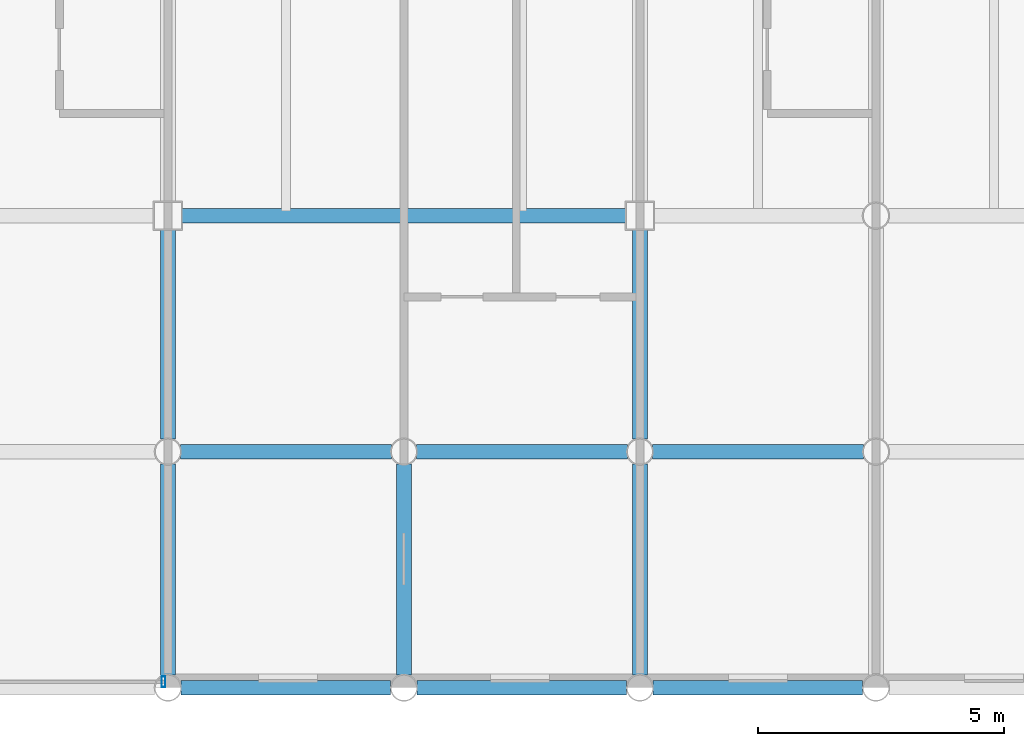
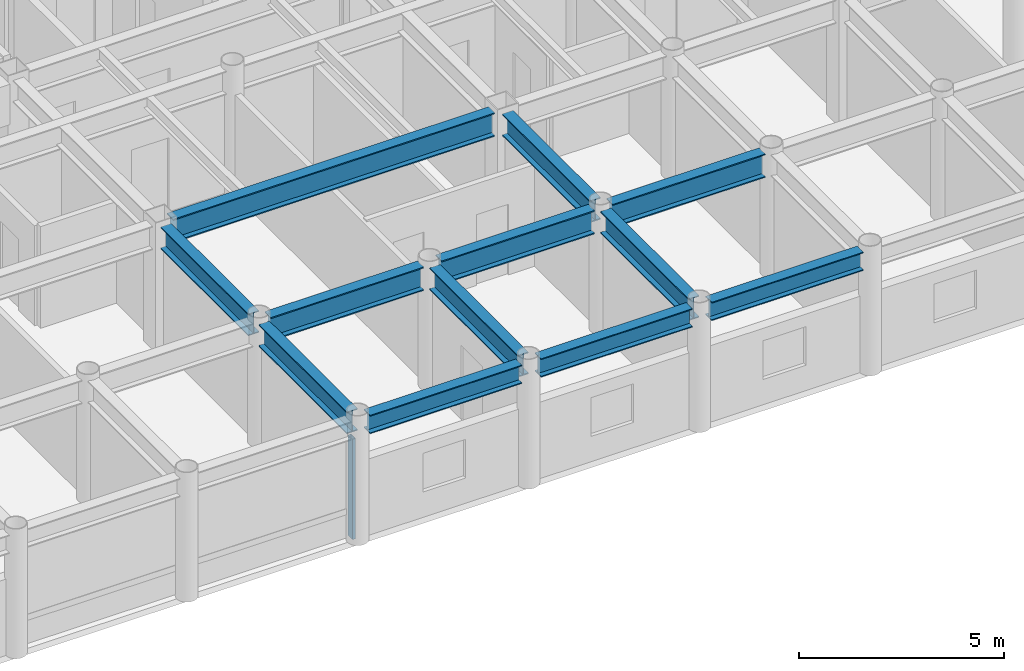
# One storey, part 8 of 22: 12 beams, 1 member, 1 element without a shape of its own.
"""IFC4 building model written with IfcOpenShell, lengths in metres."""

from ifc_helpers import new_model, si_unit, direction, frame, origin, origin_2d, place, context, subcontext, project, spatial, hollow_rectangle, i_section, extrude, material, layer, layer_set, material_profile, profile_set, type_object, element, aggregate, save


model = new_model("IFC4")

# Units and contexts
model_context = context("Model", 3, precision=1e-05, world=origin(), true_north=direction((0.0, 1.0)))
body_context = subcontext(model_context, "Body", "Model", "MODEL_VIEW")
ifc_project = project(units=[si_unit("LENGTHUNIT", "METRE"), si_unit("AREAUNIT", "SQUARE_METRE"), si_unit("VOLUMEUNIT", "CUBIC_METRE"), si_unit("PLANEANGLEUNIT", "RADIAN"), si_unit("MASSUNIT", "GRAM", prefix="KILO")], contexts=[model_context])

# Site, building, storey
site_placement = place(None, origin())
site = spatial("IfcSite", under=ifc_project, at=site_placement, CompositionType="ELEMENT")
building_placement = place(site_placement, origin())
building = spatial("IfcBuilding", under=site, at=building_placement, Name="Kallvorn Hotel Tower", CompositionType="ELEMENT")
storey_placement = place(building_placement, frame((0.0, 0.0, 203.050048828125)))
storey = spatial("IfcBuildingStorey", under=building, at=storey_placement, Name="L50", CompositionType="ELEMENT", Elevation=203.050048828125)

# Beams
ifc_material_1 = material(Name="Structural steel S355JR", Category="steel")
ifc_material_profile_1 = material_profile(ifc_material_1, i_section(OverallWidth=0.300048828125, OverallDepth=0.550048828125, WebThickness=0.014892578125, FlangeThickness=0.029052734375, at=origin_2d()), Name="HE 550 B")
ifc_profile_set_1 = profile_set([ifc_material_profile_1], Name="Structural steel S355JR")
beam_type_1 = type_object("IfcBeamType", Name="BM_HE550B", PredefinedType="SPANDREL", material=ifc_profile_set_1)
beam_1_placement = place(storey_placement, frame((5.069580078125, -24.0, 3.39501953125), z_axis=(1.0, 0.0, 0.0), x_axis=(0.0, 1.0, 0.0)))
element("IfcBeam", 1, at=beam_1_placement, inside=storey, type_object=beam_type_1, Name="L51 Perimeter Spandrel 157", PredefinedType="SPANDREL", context=body_context, shape_type="SweptSolid", body=[
    extrude(i_section(OverallWidth=0.300048828125, OverallDepth=0.550048828125, WebThickness=0.014892578125, FlangeThickness=0.029052734375, at=origin_2d()), origin(), (0.0, 0.0, 1.0), 4.260986328125),
])
beam_2_placement = place(storey_placement, frame((9.869384765625, -24.0, 3.39501953125), z_axis=(1.0, 0.0, 0.0), x_axis=(0.0, 1.0, 0.0)))
element("IfcBeam", 2, at=beam_2_placement, inside=storey, type_object=beam_type_1, Name="L51 Perimeter Spandrel 158", PredefinedType="SPANDREL", context=body_context, shape_type="SweptSolid", body=[
    extrude(i_section(OverallWidth=0.300048828125, OverallDepth=0.550048828125, WebThickness=0.014892578125, FlangeThickness=0.029052734375, at=origin_2d()), origin(), (0.0, 0.0, 1.0), 4.26123046875),
])
beam_3_placement = place(storey_placement, frame((14.66943359375, -24.0, 3.39501953125), z_axis=(1.0, 0.0, 0.0), x_axis=(0.0, 1.0, 0.0)))
element("IfcBeam", 3, at=beam_3_placement, inside=storey, type_object=beam_type_1, Name="L51 Perimeter Spandrel 159", PredefinedType="SPANDREL", context=body_context, shape_type="SweptSolid", body=[
    extrude(i_section(OverallWidth=0.300048828125, OverallDepth=0.550048828125, WebThickness=0.014892578125, FlangeThickness=0.029052734375, at=origin_2d()), origin(), (0.0, 0.0, 1.0), 4.260986328125),
])
ifc_material_2 = material(Name="Structural steel S355JR", Category="steel")
ifc_material_profile_2 = material_profile(ifc_material_2, i_section(OverallWidth=0.300048828125, OverallDepth=0.64990234375, WebThickness=0.01611328125, FlangeThickness=0.031005859375, at=origin_2d()), Name="HE 650 B")
ifc_profile_set_2 = profile_set([ifc_material_profile_2], Name="Structural steel S355JR")
beam_type_2 = type_object("IfcBeamType", Name="BM_HE650B", PredefinedType="BEAM", material=ifc_profile_set_2)
beam_4_placement = place(storey_placement, frame((4.800048828125, -23.74560546875, 3.344970703125), z_axis=(0.0, 1.0, 0.0), x_axis=(-1.0, 0.0, 0.0)))
element("IfcBeam", 4, at=beam_4_placement, inside=storey, type_object=beam_type_2, Name="L51 Primary Y-Girder 113", PredefinedType="BEAM", context=body_context, shape_type="SweptSolid", body=[
    extrude(i_section(OverallWidth=0.300048828125, OverallDepth=0.64990234375, WebThickness=0.01611328125, FlangeThickness=0.031005859375, at=origin_2d()), origin(), (0.0, 0.0, 1.0), 4.291015625),
])
beam_5_placement = place(storey_placement, frame((4.800048828125, -18.945556640625, 3.344970703125), z_axis=(0.0, 1.0, 0.0), x_axis=(-1.0, 0.0, 0.0)))
element("IfcBeam", 5, at=beam_5_placement, inside=storey, type_object=beam_type_2, Name="L51 Primary Y-Girder 114", PredefinedType="BEAM", context=body_context, shape_type="SweptSolid", body=[
    extrude(i_section(OverallWidth=0.300048828125, OverallDepth=0.64990234375, WebThickness=0.01611328125, FlangeThickness=0.031005859375, at=origin_2d()), origin(), (0.0, 0.0, 1.0), 4.2705078125),
])
for number, where, z_axis, x_axis, name in (
    (6, (9.60009765625, -23.74560546875, 3.344970703125), (0.0, 1.0, 0.0), (-1.0, 0.0, 0.0), "L51 Primary Y-Girder 118"),
    (7, (14.39990234375, -23.74560546875, 3.344970703125), (0.0, 1.0, 0.0), (-1.0, 0.0, 0.0), "L51 Primary Y-Girder 121"),
):
    element("IfcBeam", number, at=place(storey_placement, frame(where, z_axis=z_axis, x_axis=x_axis)), inside=storey, type_object=beam_type_2, Name=name, PredefinedType="BEAM", context=body_context, shape_type="SweptSolid", body=[
        extrude(i_section(OverallWidth=0.300048828125, OverallDepth=0.64990234375, WebThickness=0.01611328125, FlangeThickness=0.031005859375, at=origin_2d()), origin(), (0.0, 0.0, 1.0), 4.291015625),
    ])
beam_6_placement = place(storey_placement, frame((14.39990234375, -18.945556640625, 3.344970703125), z_axis=(0.0, 1.0, 0.0), x_axis=(-1.0, 0.0, 0.0)))
element("IfcBeam", 8, at=beam_6_placement, inside=storey, type_object=beam_type_2, Name="L51 Primary Y-Girder 122", PredefinedType="BEAM", context=body_context, shape_type="SweptSolid", body=[
    extrude(i_section(OverallWidth=0.300048828125, OverallDepth=0.64990234375, WebThickness=0.01611328125, FlangeThickness=0.031005859375, at=origin_2d()), origin(), (0.0, 0.0, 1.0), 4.2705078125),
])
ifc_material_3 = material(Name="Structural steel S355JR", Category="steel")
ifc_material_profile_3 = material_profile(ifc_material_3, i_section(OverallWidth=0.300048828125, OverallDepth=0.699951171875, WebThickness=0.01708984375, FlangeThickness=0.031982421875, at=origin_2d()), Name="HE 700 B")
ifc_profile_set_3 = profile_set([ifc_material_profile_3], Name="Structural steel S355JR")
beam_type_3 = type_object("IfcBeamType", Name="BM_HE700B", PredefinedType="BEAM", material=ifc_profile_set_3)
for number, where, z_axis, x_axis, name in (
    (9, (5.054443359375, -19.199951171875, 3.320068359375), (1.0, 0.0, 0.0), (0.0, 1.0, 0.0), "L51 Primary X-Girder 08"),
    (10, (9.8544921875, -19.199951171875, 3.320068359375), (1.0, 0.0, 0.0), (0.0, 1.0, 0.0), "L51 Primary X-Girder 09"),
    (11, (14.654541015625, -19.199951171875, 3.320068359375), (1.0, 0.0, 0.0), (0.0, 1.0, 0.0), "L51 Primary X-Girder 10"),
):
    element("IfcBeam", number, at=place(storey_placement, frame(where, z_axis=z_axis, x_axis=x_axis)), inside=storey, type_object=beam_type_3, Name=name, PredefinedType="BEAM", context=body_context, shape_type="SweptSolid", body=[
        extrude(i_section(OverallWidth=0.300048828125, OverallDepth=0.699951171875, WebThickness=0.01708984375, FlangeThickness=0.031982421875, at=origin_2d()), origin(), (0.0, 0.0, 1.0), 4.291015625),
    ])
beam_7_placement = place(storey_placement, frame((5.074951171875, -14.39990234375, 3.320068359375), z_axis=(1.0, 0.0, 0.0), x_axis=(0.0, 1.0, 0.0)))
element("IfcBeam", 12, at=beam_7_placement, inside=storey, type_object=beam_type_3, Name="L51 Primary X-Girder 19", PredefinedType="BEAM", context=body_context, shape_type="SweptSolid", body=[
    extrude(i_section(OverallWidth=0.300048828125, OverallDepth=0.699951171875, WebThickness=0.01708984375, FlangeThickness=0.031982421875, at=origin_2d()), origin(), (0.0, 0.0, 1.0), 9.050048828125),
])

# Curtain wall, member
ifc_material_4 = material(Name="Thermally broken black-anodised aluminium AA 6063-T6", Category="aluminium")
ifc_layer = layer(ifc_material_4, 0.22998046875)
ifc_layer_set = layer_set([ifc_layer], Name="CW_SYS_5_HOTEL_HIGH")
curtain_wall_type = type_object("IfcCurtainWallType", Name="CW_SYS_5_HOTEL_HIGH", PredefinedType="USERDEFINED", material=ifc_layer_set)
curtain_wall_placement = place(storey_placement, origin())
curtain_wall = element("IfcCurtainWall", 13, at=curtain_wall_placement, inside=storey, type_object=curtain_wall_type, Name="L50 Dark-Glass Curtain Wall CW-L50-SC", ObjectType="UNITISED CURTAIN WALL", PredefinedType="USERDEFINED")
ifc_material_5 = material(Name="Thermally broken black-anodised aluminium AA 6063-T6", Category="aluminium")
ifc_material_profile_4 = material_profile(ifc_material_5, hollow_rectangle(XDim=0.080078125, YDim=0.219970703125, WallThickness=0.0048828125, at=origin_2d()), Name="MUL 220x80")
ifc_profile_set_4 = profile_set([ifc_material_profile_4], Name="Thermally broken black-anodised aluminium AA 6063-T6")
member_type = type_object("IfcMemberType", Name="CW_MULLION_220x80", PredefinedType="MULLION", material=ifc_profile_set_4)
member_placement = place(storey_placement, frame((4.7099609375, -23.8798828125, 0.02001953125), z_axis=(0.0, 0.0, 1.0), x_axis=(1.0, 0.0, 0.0)))
member = element("IfcMember", 14, at=member_placement, type_object=member_type, Name="CW-L50-SC Mullion 02", PredefinedType="MULLION", context=body_context, shape_type="SweptSolid", body=[
    extrude(hollow_rectangle(XDim=0.080078125, YDim=0.219970703125, WallThickness=0.0048828125, at=origin_2d()), origin(), (0.0, 0.0, 1.0), 2.97998046875),
])
aggregate(curtain_wall, [member])

save(model, "model.ifc")
